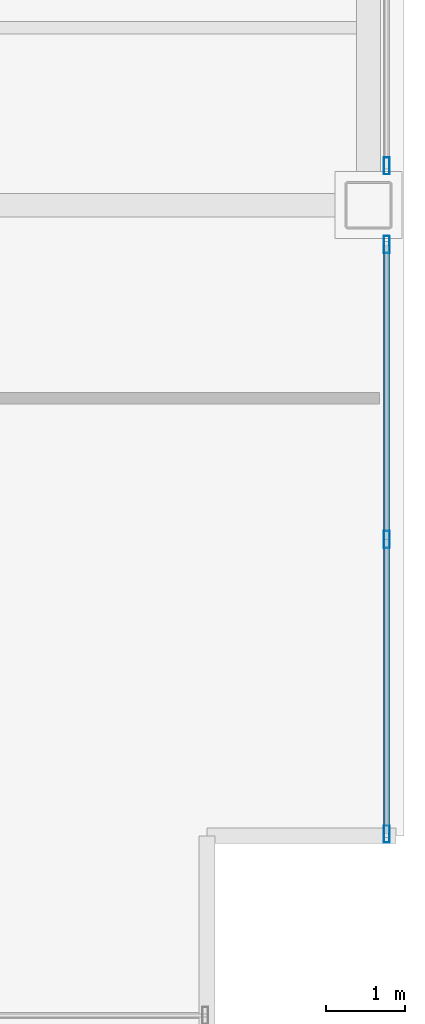
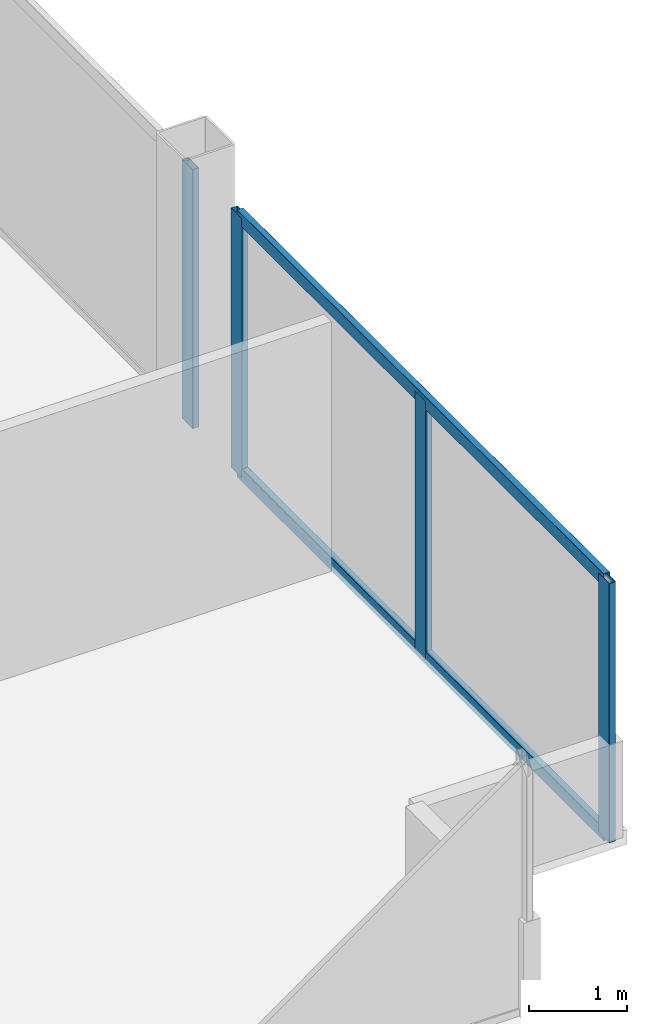
# One storey, part 11 of 22: 6 members, 2 elements without a shape of their own.
"""IFC4 building model written with IfcOpenShell, lengths in metres."""

from ifc_helpers import new_model, si_unit, direction, frame, origin, origin_2d, place, context, subcontext, project, spatial, hollow_rectangle, extrude, material, material_profile, profile_set, type_object, element, aggregate, save


model = new_model("IFC4")

# Units and contexts
model_context = context("Model", 3, precision=1e-05, world=origin(), true_north=direction((0.0, 1.0)))
body_context = subcontext(model_context, "Body", "Model", "MODEL_VIEW")
ifc_project = project(units=[si_unit("LENGTHUNIT", "METRE"), si_unit("AREAUNIT", "SQUARE_METRE"), si_unit("VOLUMEUNIT", "CUBIC_METRE"), si_unit("PLANEANGLEUNIT", "RADIAN"), si_unit("MASSUNIT", "GRAM", prefix="KILO")], contexts=[model_context])

# Site, building, storey
site_placement = place(None, origin())
site = spatial("IfcSite", under=ifc_project, at=site_placement, CompositionType="ELEMENT")
building_placement = place(site_placement, origin())
building = spatial("IfcBuilding", under=site, at=building_placement, Name="Noeulbin Bourse Tower", CompositionType="ELEMENT")
storey_placement = place(building_placement, frame((0.0, 0.0, 85.0)))
storey = spatial("IfcBuildingStorey", under=building, at=storey_placement, Name="L21", CompositionType="ELEMENT", Elevation=85.0)

# Curtain wall, members
ifc_material_1 = material(Name="Dark Solar-Control Double Glazing", Category="glass")
curtain_wall_type = type_object("IfcCurtainWallType", Name="CW-SYS-2", PredefinedType="NOTDEFINED", material=ifc_material_1)
curtain_wall_1_placement = place(storey_placement, origin())
curtain_wall_1 = element("IfcCurtainWall", 1, at=curtain_wall_1_placement, inside=storey, type_object=curtain_wall_type, Name="Unitised Curtain Wall CW-L21-E-S1", PredefinedType="NOTDEFINED")
ifc_material_2 = material(Name="Anodised Aluminium 6063-T6", Category="aluminium")
ifc_material_profile_1 = material_profile(ifc_material_2, hollow_rectangle(XDim=0.074951171875, YDim=0.219970703125, WallThickness=0.0048828125, InnerFilletRadius=0.00244140625, OuterFilletRadius=0.0048828125, at=origin_2d()), Name="ALU-MULL-75x220x5", Category="LoadBearing")
ifc_profile_set_1 = profile_set([ifc_material_profile_1], Name="Anodised Aluminium 6063-T6")
member_type_1 = type_object("IfcMemberType", Name="CW-SYS-2-MUL", PredefinedType="MULLION", material=ifc_profile_set_1)
member_1_placement = place(storey_placement, frame((57.280029296875, 12.02001953125, -0.02001953125), z_axis=(0.0, 0.0, 1.0), x_axis=(1.0, 0.0, 0.0)))
member_1 = element("IfcMember", 2, at=member_1_placement, type_object=member_type_1, Name="Curtain Wall Mullion CW-L21-E-S1-M00", PredefinedType="MULLION", context=body_context, shape_type="SweptSolid", body=[
    extrude(hollow_rectangle(XDim=0.074951171875, YDim=0.219970703125, WallThickness=0.0048828125, InnerFilletRadius=0.00244140625, OuterFilletRadius=0.0048828125, at=origin_2d()), origin(), (0.0, 0.0, 1.0), 3.219970703125),
])
member_2_placement = place(storey_placement, frame((57.280029296875, 15.760009765625, -0.02001953125), z_axis=(0.0, 0.0, 1.0), x_axis=(1.0, 0.0, 0.0)))
member_2 = element("IfcMember", 3, at=member_2_placement, type_object=member_type_1, Name="Curtain Wall Mullion CW-L21-E-S1-M01", PredefinedType="MULLION", context=body_context, shape_type="SweptSolid", body=[
    extrude(hollow_rectangle(XDim=0.074951171875, YDim=0.219970703125, WallThickness=0.0048828125, InnerFilletRadius=0.00244140625, OuterFilletRadius=0.0048828125, at=origin_2d()), origin(), (0.0, 0.0, 1.0), 3.219970703125),
])
member_3_placement = place(storey_placement, frame((57.280029296875, 19.5, -0.02001953125), z_axis=(0.0, 0.0, 1.0), x_axis=(1.0, 0.0, 0.0)))
member_3 = element("IfcMember", 4, at=member_3_placement, type_object=member_type_1, Name="Curtain Wall Mullion CW-L21-E-S1-M02", PredefinedType="MULLION", context=body_context, shape_type="SweptSolid", body=[
    extrude(hollow_rectangle(XDim=0.074951171875, YDim=0.219970703125, WallThickness=0.0048828125, InnerFilletRadius=0.00244140625, OuterFilletRadius=0.0048828125, at=origin_2d()), origin(), (0.0, 0.0, 1.0), 3.219970703125),
])

# Curtain wall, member
curtain_wall_2_placement = place(storey_placement, origin())
curtain_wall_2 = element("IfcCurtainWall", 5, at=curtain_wall_2_placement, inside=storey, type_object=curtain_wall_type, Name="Unitised Curtain Wall CW-L21-E-S2", PredefinedType="NOTDEFINED")
member_4_placement = place(storey_placement, frame((57.280029296875, 20.5, -0.02001953125), z_axis=(0.0, 0.0, 1.0), x_axis=(1.0, 0.0, 0.0)))
member_4 = element("IfcMember", 6, at=member_4_placement, type_object=member_type_1, Name="Curtain Wall Mullion CW-L21-E-S2-M00", PredefinedType="MULLION", context=body_context, shape_type="SweptSolid", body=[
    extrude(hollow_rectangle(XDim=0.074951171875, YDim=0.219970703125, WallThickness=0.0048828125, InnerFilletRadius=0.00244140625, OuterFilletRadius=0.0048828125, at=origin_2d()), origin(), (0.0, 0.0, 1.0), 3.219970703125),
])
aggregate(curtain_wall_2, [member_4])

# Member
ifc_material_profile_2 = material_profile(ifc_material_2, hollow_rectangle(XDim=0.074951171875, YDim=0.159912109375, WallThickness=0.0048828125, InnerFilletRadius=0.00244140625, OuterFilletRadius=0.0048828125, at=origin_2d()), Name="ALU-TRAN-75x160x5", Category="LoadBearing")
ifc_profile_set_2 = profile_set([ifc_material_profile_2], Name="Anodised Aluminium 6063-T6")
member_type_2 = type_object("IfcMemberType", Name="CW-SYS-2-TRN", PredefinedType="USERDEFINED", material=ifc_profile_set_2)
member_5_placement = place(storey_placement, frame((57.280029296875, 12.030029296875, 0.010009765625), z_axis=(0.0, 1.0, 0.0), x_axis=(-1.0, 0.0, 0.0)))
member_5 = element("IfcMember", 7, at=member_5_placement, type_object=member_type_2, Name="Curtain Wall Transom CW-L21-E-S1-T00", ObjectType="TRANSOM", PredefinedType="USERDEFINED", context=body_context, shape_type="SweptSolid", body=[
    extrude(hollow_rectangle(XDim=0.074951171875, YDim=0.159912109375, WallThickness=0.0048828125, InnerFilletRadius=0.00244140625, OuterFilletRadius=0.0048828125, at=origin_2d()), origin(), (0.0, 0.0, 1.0), 7.4599609375),
])

member_6_placement = place(storey_placement, frame((57.280029296875, 12.030029296875, 3.169921875), z_axis=(0.0, 1.0, 0.0), x_axis=(-1.0, 0.0, 0.0)))
member_6 = element("IfcMember", 8, at=member_6_placement, type_object=member_type_2, Name="Curtain Wall Transom CW-L21-E-S1-T01", ObjectType="TRANSOM", PredefinedType="USERDEFINED", context=body_context, shape_type="SweptSolid", body=[
    extrude(hollow_rectangle(XDim=0.074951171875, YDim=0.159912109375, WallThickness=0.0048828125, InnerFilletRadius=0.00244140625, OuterFilletRadius=0.0048828125, at=origin_2d()), origin(), (0.0, 0.0, 1.0), 7.4599609375),
])

aggregate(curtain_wall_1, [member_1, member_2, member_3, member_5, member_6])

save(model, "model.ifc")
